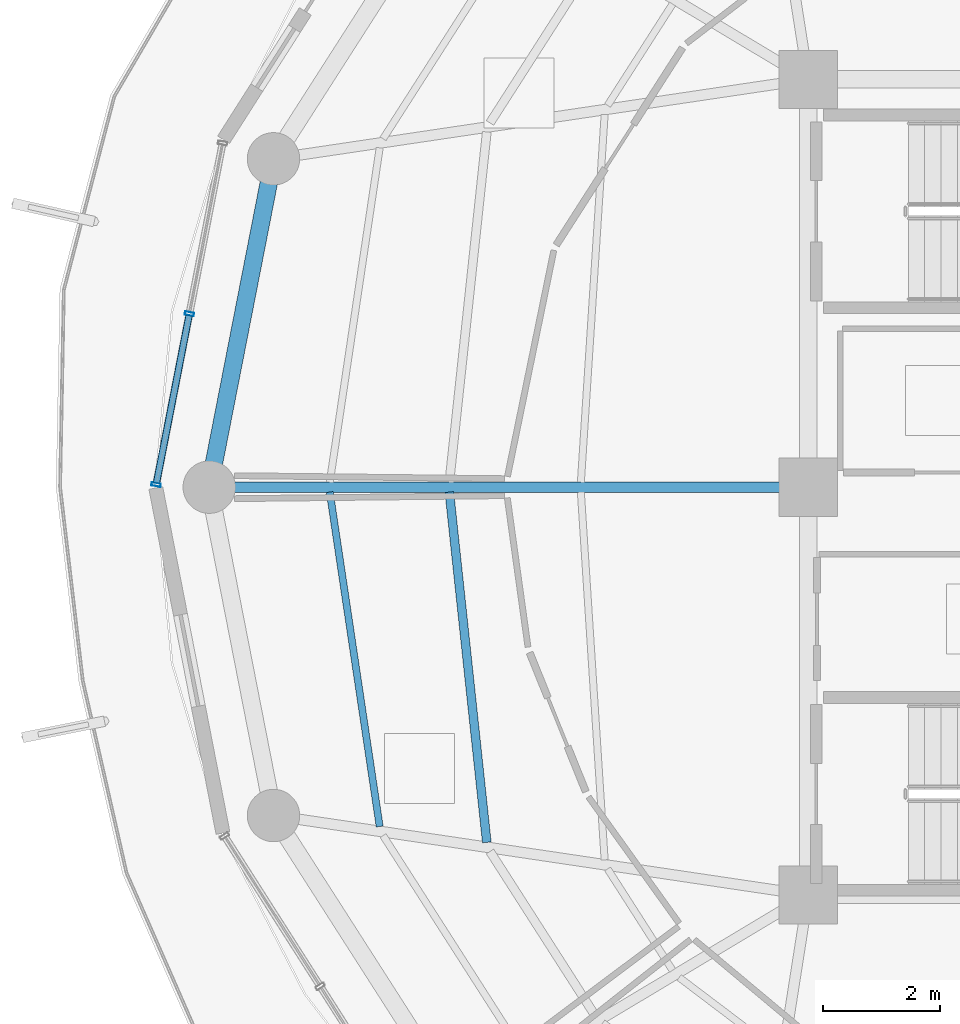
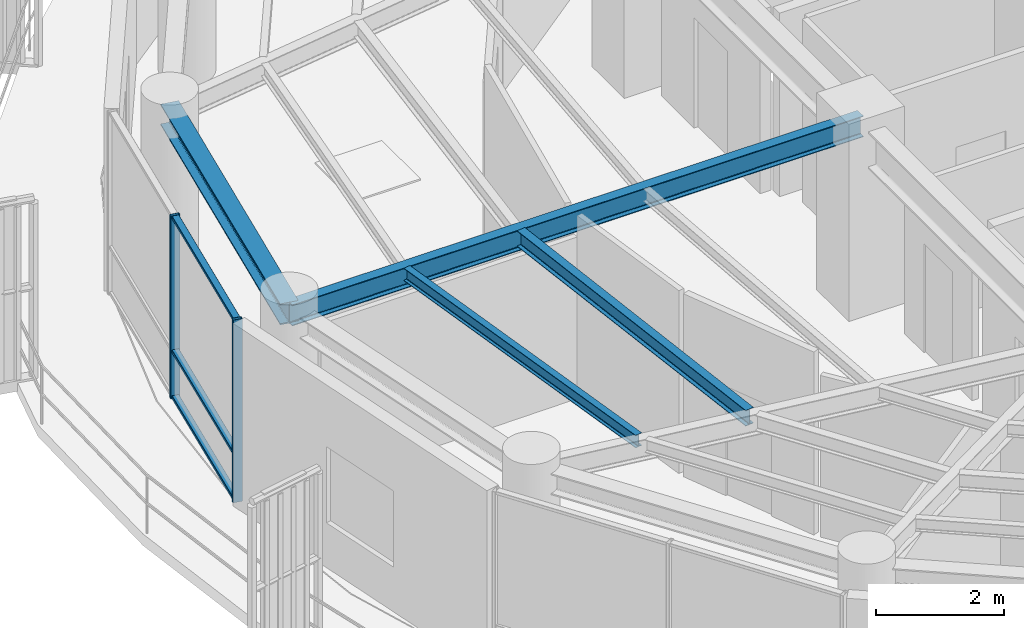
# One storey, part 5 of 22: 5 members, 4 beams, 1 element without a shape of its own.
"""IFC4 building model written with IfcOpenShell, lengths in metres."""

import ifcopenshell
import ifcopenshell.guid

model = None  # the IFC model being written
_history = None  # IfcOwnerHistory: only IFC2X3 demands one
_inside = {}  # id of a spatial element -> (the spatial element, [elements in it])
_under = {}  # id of a project, library or spatial element -> (it, [spatial elements below it])
_declared = {}  # id of a project -> (the project, [libraries it declares])
_typed = {}  # id of a type object -> (the type object, [elements of that type])
_made_of = {}  # id of a material, layer set ... -> (it, [elements and type objects made of it])


def new_model(schema):
    """Start an empty IFC model of exactly this schema.

    Asked for "IFC4X3", IfcOpenShell would pick the latest addendum, in which some entities
    have other attributes; the version numbers below select the first issue.
    IFC2X3 requires an IfcOwnerHistory on every rooted entity: one is made here for all.
    """
    global model, _history
    if schema == "IFC4X3":
        model = ifcopenshell.file(schema_version=(4, 3, 0, 0))
    else:
        model = ifcopenshell.file(schema=schema)
    _inside.clear()
    _under.clear()
    _declared.clear()
    _typed.clear()
    _made_of.clear()
    _history = None
    if model.schema == "IFC2X3":
        org = make("IfcOrganization", Name="unknown")
        user = make(
            "IfcPersonAndOrganization",
            ThePerson=make("IfcPerson", FamilyName="unknown"),
            TheOrganization=org,
        )
        app = make(
            "IfcApplication",
            ApplicationDeveloper=org,
            Version="unknown",
            ApplicationFullName="unknown",
            ApplicationIdentifier="unknown",
        )
        _history = make(
            "IfcOwnerHistory",
            OwningUser=user,
            OwningApplication=app,
            ChangeAction="ADDED",
            CreationDate=0,
        )
    return model


def make(cls, **values):
    """One entity of the class cls with the attributes given. An attribute that is None is left unset."""
    return model.create_entity(
        cls, **{name: value for name, value in values.items() if value is not None}
    )


def rooted(cls, **values):
    """An entity with a GlobalId (a new one), such as an element, a storey or a relation."""
    return make(cls, GlobalId=ifcopenshell.guid.new(), OwnerHistory=_history, **values)


def si_unit(unit_type, name, prefix=None):
    """IfcSIUnit, for example si_unit("LENGTHUNIT", "METRE", prefix="MILLI")."""
    return make("IfcSIUnit", UnitType=unit_type, Prefix=prefix, Name=name)


def assignment(units):
    """IfcUnitAssignment: the units of a project."""
    return None if units is None else make("IfcUnitAssignment", Units=units)


def point(xyz):
    """IfcCartesianPoint."""
    return None if xyz is None else make("IfcCartesianPoint", Coordinates=xyz)


def direction(xyz):
    """IfcDirection."""
    return None if xyz is None else make("IfcDirection", DirectionRatios=xyz)


def frame(location, z_axis=None, x_axis=None):
    """IfcAxis2Placement3D, a coordinate frame: its origin and axes. An axis left out is left unset."""
    return make(
        "IfcAxis2Placement3D",
        Location=point(location),
        Axis=direction(z_axis),
        RefDirection=direction(x_axis),
    )


def frame_2d(location, x_axis=None):
    """IfcAxis2Placement2D, a coordinate frame in the plane: its origin and x axis."""
    return make(
        "IfcAxis2Placement2D", Location=point(location), RefDirection=direction(x_axis)
    )


def origin():
    """The frame at (0, 0, 0) with its axes left unset."""
    return frame((0.0, 0.0, 0.0))


def origin_2d():
    """The frame at (0, 0) in the plane with its x axis left unset."""
    return frame_2d((0.0, 0.0))


def place(relative_to, where):
    """IfcLocalPlacement: puts the frame where relative to a parent placement (None: the world)."""
    return make(
        "IfcLocalPlacement", PlacementRelTo=relative_to, RelativePlacement=where
    )


def context(
    kind, dimensions, precision=None, world=None, true_north=None, identifier=None
):
    """IfcGeometricRepresentationContext, for example the 3D "Model" context."""
    return make(
        "IfcGeometricRepresentationContext",
        ContextIdentifier=identifier,
        ContextType=kind,
        CoordinateSpaceDimension=dimensions,
        Precision=precision,
        WorldCoordinateSystem=world,
        TrueNorth=true_north,
    )


def subcontext(parent, identifier, kind, view, scale=None):
    """IfcGeometricRepresentationSubContext, for example "Body" below "Model"."""
    return make(
        "IfcGeometricRepresentationSubContext",
        ContextIdentifier=identifier,
        ContextType=kind,
        ParentContext=parent,
        TargetScale=scale,
        TargetView=view,
    )


def project(units=None, contexts=None):
    """IfcProject with its units and contexts."""
    return rooted(
        "IfcProject",
        Name="project",
        RepresentationContexts=contexts,
        UnitsInContext=assignment(units),
    )


def spatial(cls, under=None, at=None, **own):
    """A site, building, storey or space (cls), placed at a placement, below another one or the project."""
    s = rooted(cls, ObjectPlacement=at, **own)
    if under is not None:
        _under.setdefault(under.id(), (under, []))[1].append(s)
    return s


def profile(cls, at=None, kind="AREA", **sizes):
    """A parametric profile (cls). Its sizes go by their IFC names, for example OverallWidth=200.0."""
    return make(cls, ProfileType=kind, Position=at, **sizes)


def hollow_rectangle(**sizes):
    """IfcRectangleHollowProfileDef."""
    return profile("IfcRectangleHollowProfileDef", **sizes)


def i_section(**sizes):
    """IfcIShapeProfileDef."""
    return profile("IfcIShapeProfileDef", **sizes)


def extrude(swept, where, along, depth):
    """IfcExtrudedAreaSolid: the profile swept, set in the frame where, extruded along a direction by depth."""
    return make(
        "IfcExtrudedAreaSolid",
        SweptArea=swept,
        Position=where,
        ExtrudedDirection=direction(along),
        Depth=depth,
    )


def shape(context_of_items, identifier, shape_type, items):
    """IfcShapeRepresentation: the items that make up one representation, for example the "Body"."""
    return make(
        "IfcShapeRepresentation",
        ContextOfItems=context_of_items,
        RepresentationIdentifier=identifier,
        RepresentationType=shape_type,
        Items=items,
    )


def material(Name=None, Category=None):
    """IfcMaterial."""
    return make("IfcMaterial", Name=Name, Category=Category)


def layer(
    of_material, thickness, ventilated=None, Name=None, Category=None, Priority=None
):
    """IfcMaterialLayer: one layer of a wall or slab, of a material (None: an air gap)."""
    return make(
        "IfcMaterialLayer",
        Material=of_material,
        LayerThickness=thickness,
        IsVentilated=ventilated,
        Name=Name,
        Category=Category,
        Priority=Priority,
    )


def layer_set(layers, Name=None):
    """IfcMaterialLayerSet."""
    return make("IfcMaterialLayerSet", MaterialLayers=layers, LayerSetName=Name)


def material_profile(
    of_material, cross_section, Name=None, Category=None, Priority=None
):
    """IfcMaterialProfile: a cross section and its material."""
    return make(
        "IfcMaterialProfile",
        Name=Name,
        Material=of_material,
        Profile=cross_section,
        Priority=Priority,
        Category=Category,
    )


def profile_set(profiles, Name=None, composite=None):
    """IfcMaterialProfileSet."""
    return make(
        "IfcMaterialProfileSet",
        Name=Name,
        MaterialProfiles=profiles,
        CompositeProfile=composite,
    )


def made_of(thing, what):
    """Note that an element or type object is made of a material, layer set ...; save() writes the relation."""
    if what is not None:
        _made_of.setdefault(what.id(), (what, []))[1].append(thing)
    return thing


def type_object(cls, material=None, **own):
    """A type object (cls), such as IfcWallType, which elements share."""
    return made_of(rooted(cls, **own), material)


def element(
    cls,
    number,
    at=None,
    inside=None,
    cuts=None,
    type_object=None,
    material=None,
    context=None,
    identifier="Body",
    shape_type=None,
    held_by="IfcProductDefinitionShape",
    body=None,
    shapes=None,
    **own,
):
    """One element of the class cls, such as IfcWall. Its Tag is "e" and its number.

    at: its placement. inside: the storey or other place that contains it. cuts: it is an
    opening in that element (IfcRelVoidsElement). A single representation is given by context,
    identifier, shape_type and body (its items); several are given by shapes. held_by: the class
    of the entity that holds the representations. save() writes the other relations.
    """
    e = rooted(cls, Tag="e%d" % number, ObjectPlacement=at, **own)
    if body is not None:
        shapes = [shape(context, identifier, shape_type, body)]
    if shapes is not None:
        e.Representation = make(held_by, Representations=shapes)
    if inside is not None:
        _inside.setdefault(inside.id(), (inside, []))[1].append(e)
    if cuts is not None:
        rooted(
            "IfcRelVoidsElement", RelatingBuildingElement=cuts, RelatedOpeningElement=e
        )
    if type_object is not None:
        _typed.setdefault(type_object.id(), (type_object, []))[1].append(e)
    return made_of(e, material)


def aggregate(whole, parts):
    """IfcRelAggregates: a whole, such as a stair, and the parts it consists of."""
    return rooted("IfcRelAggregates", RelatingObject=whole, RelatedObjects=parts)


def save(model, path):
    """Write the relations noted so far, then the file.

    IfcRelAggregates (storeys below a building ...), IfcRelContainedInSpatialStructure (elements
    in a storey), IfcRelDefinesByType, IfcRelAssociatesMaterial and IfcRelDeclares: one each for
    every whole, place, type object, material and project.
    """
    for whole, parts in _under.values():
        aggregate(whole, parts)
    for where, things in _inside.values():
        rooted(
            "IfcRelContainedInSpatialStructure",
            RelatedElements=things,
            RelatingStructure=where,
        )
    for kind, things in _typed.values():
        rooted("IfcRelDefinesByType", RelatedObjects=things, RelatingType=kind)
    for what, things in _made_of.values():
        rooted("IfcRelAssociatesMaterial", RelatedObjects=things, RelatingMaterial=what)
    for by, libraries in _declared.values():
        rooted("IfcRelDeclares", RelatingContext=by, RelatedDefinitions=libraries)
    model.write(path)


model = new_model("IFC4")

# Units and contexts
model_context = context("Model", 3, precision=1e-05, world=origin(), true_north=direction((0.0, 1.0)))
body_context = subcontext(model_context, "Body", "Model", "MODEL_VIEW")
ifc_project = project(units=[si_unit("LENGTHUNIT", "METRE"), si_unit("AREAUNIT", "SQUARE_METRE"), si_unit("VOLUMEUNIT", "CUBIC_METRE"), si_unit("PLANEANGLEUNIT", "RADIAN"), si_unit("MASSUNIT", "GRAM", prefix="KILO")], contexts=[model_context])

# Site, building, storey
site_placement = place(None, origin())
site = spatial("IfcSite", under=ifc_project, at=site_placement, CompositionType="ELEMENT")
building_placement = place(site_placement, origin())
building = spatial("IfcBuilding", under=site, at=building_placement, Name="Kelanora Arch Commons", CompositionType="ELEMENT")
storey_placement = place(building_placement, frame((0.0, 0.0, 267.449951171875)))
storey = spatial("IfcBuildingStorey", under=building, at=storey_placement, Name="L68", CompositionType="ELEMENT", Elevation=267.449951171875)

# Beams
ifc_material_1 = material(Name="Steel S355", Category="steel")
ifc_material_profile_1 = material_profile(ifc_material_1, i_section(OverallWidth=0.14990234375, OverallDepth=0.300048828125, WebThickness=0.007080078125, FlangeThickness=0.0107421875, FilletRadius=0.014892578125, at=origin_2d()), Name="IPE300")
ifc_profile_set_1 = profile_set([ifc_material_profile_1], Name="Steel S355")
beam_type_1 = type_object("IfcBeamType", Name="BM-JST-01", PredefinedType="JOIST", material=ifc_profile_set_1)
beam_1_placement = place(storey_placement, frame((59.841064453125, 57.91552734375, 3.340087890625), z_axis=(0.106380594087, -0.994325484538, 0.0), x_axis=(0.994325484538, 0.106380594087, 0.0)))
element("IfcBeam", 1, at=beam_1_placement, inside=storey, type_object=beam_type_1, Name="Secondary Chord Joist BJB-18 L68", PredefinedType="JOIST", context=body_context, shape_type="SweptSolid", body=[
    extrude(i_section(OverallWidth=0.14990234375, OverallDepth=0.300048828125, WebThickness=0.007080078125, FlangeThickness=0.0107421875, FilletRadius=0.014892578125, at=origin_2d()), origin(), (0.0, 0.0, 1.0), 6.04736328125),
])
ifc_material_profile_2 = material_profile(ifc_material_1, i_section(OverallWidth=0.1201171875, OverallDepth=0.239990234375, WebThickness=0.006103515625, FlangeThickness=0.009765625, FilletRadius=0.014892578125, at=origin_2d()), Name="IPE240")
ifc_profile_set_2 = profile_set([ifc_material_profile_2], Name="Steel S355")
beam_type_2 = type_object("IfcBeamType", Name="BM-JST-02", PredefinedType="JOIST", material=ifc_profile_set_2)
beam_2_placement = place(storey_placement, frame((57.78857421875, 57.916015625, 3.3701171875), z_axis=(0.14762470282, -0.989043450571, 0.0), x_axis=(0.989043450571, 0.14762470282, 0.0)))
element("IfcBeam", 2, at=beam_2_placement, inside=storey, type_object=beam_type_2, Name="Secondary Chord Joist BJC-18 L68", PredefinedType="JOIST", context=body_context, shape_type="SweptSolid", body=[
    extrude(i_section(OverallWidth=0.1201171875, OverallDepth=0.239990234375, WebThickness=0.006103515625, FlangeThickness=0.009765625, FilletRadius=0.014892578125, at=origin_2d()), origin(), (0.0, 0.0, 1.0), 5.804931640625),
])
ifc_material_profile_3 = material_profile(ifc_material_1, i_section(OverallWidth=0.179931640625, OverallDepth=0.39990234375, WebThickness=0.008544921875, FlangeThickness=0.013427734375, FilletRadius=0.02099609375, at=origin_2d()), Name="IPE400")
ifc_profile_set_3 = profile_set([ifc_material_profile_3], Name="Steel S355")
beam_type_3 = type_object("IfcBeamType", Name="BM-RAD-Z5", PredefinedType="BEAM", material=ifc_profile_set_3)
beam_3_placement = place(storey_placement, frame((66.0, 58.0, 3.2900390625), z_axis=(-1.0, 0.0, 0.0), x_axis=(0.0, -1.0, 0.0)))
element("IfcBeam", 3, at=beam_3_placement, inside=storey, type_object=beam_type_3, Name="Radial Floor Girder BR-18 L68", PredefinedType="BEAM", context=body_context, shape_type="SweptSolid", body=[
    extrude(i_section(OverallWidth=0.179931640625, OverallDepth=0.39990234375, WebThickness=0.008544921875, FlangeThickness=0.013427734375, FilletRadius=0.02099609375, at=origin_2d()), origin(), (0.0, 0.0, 1.0), 10.280029296875),
])
ifc_material_profile_4 = material_profile(ifc_material_1, i_section(OverallWidth=0.300048828125, OverallDepth=0.39990234375, WebThickness=0.013427734375, FlangeThickness=0.02392578125, FilletRadius=0.027099609375, at=origin_2d()), Name="HEB400")
ifc_profile_set_4 = profile_set([ifc_material_profile_4], Name="Steel S355")
beam_type_4 = type_object("IfcBeamType", Name="BM-SPN-Z4", PredefinedType="SPANDREL", material=ifc_profile_set_4)
beam_4_placement = place(storey_placement, frame((56.822509765625, 63.636474609375, 3.2900390625), z_axis=(-0.191969774604, -0.981400838413, 0.0), x_axis=(0.981400838413, -0.191969774604, 0.0)))
element("IfcBeam", 4, at=beam_4_placement, inside=storey, type_object=beam_type_4, Name="Perimeter Spandrel Beam BS-16 L68", PredefinedType="SPANDREL", context=body_context, shape_type="SweptSolid", body=[
    extrude(i_section(OverallWidth=0.300048828125, OverallDepth=0.39990234375, WebThickness=0.013427734375, FlangeThickness=0.02392578125, FilletRadius=0.027099609375, at=origin_2d()), origin(), (0.0, 0.0, 1.0), 5.743408203125),
])

# Curtain wall, members
ifc_material_2 = material(Name="Terracotta ceramic-fritted low-E glass and aluminium", Category="masonry")
ifc_layer = layer(ifc_material_2, 0.18994140625)
ifc_layer_set = layer_set([ifc_layer], Name="Terracotta ceramic-fritted low-E glass and aluminium")
curtain_wall_type = type_object("IfcCurtainWallType", Name="CW-SYS-03", PredefinedType="NOTDEFINED", material=ifc_layer_set)
curtain_wall_placement = place(storey_placement, origin())
curtain_wall = element("IfcCurtainWall", 5, at=curtain_wall_placement, inside=storey, type_object=curtain_wall_type, Name="Unitised Curtain Wall L68-B08", PredefinedType="NOTDEFINED")
ifc_material_3 = material(Name="Powder-coated aluminium terracotta", Category="masonry")
ifc_material_profile_5 = material_profile(ifc_material_3, hollow_rectangle(XDim=0.159912109375, YDim=0.06005859375, WallThickness=0.0048828125, InnerFilletRadius=0.0048828125, OuterFilletRadius=0.010009765625, at=origin_2d()), Name="CWM160x60")
ifc_profile_set_5 = profile_set([ifc_material_profile_5], Name="Powder-coated aluminium terracotta")
member_type_1 = type_object("IfcMemberType", Name="CWM-STD", PredefinedType="MULLION", material=ifc_profile_set_5)
member_1_placement = place(storey_placement, frame((55.37890625, 60.9755859375, 0.0), z_axis=(0.0, 0.0, 1.0), x_axis=(0.981595542501, -0.190971701941, 0.0)))
member_1 = element("IfcMember", 6, at=member_1_placement, type_object=member_type_1, Name="CW-03 mullion 2", PredefinedType="MULLION", context=body_context, shape_type="SweptSolid", body=[
    extrude(hollow_rectangle(XDim=0.159912109375, YDim=0.06005859375, WallThickness=0.0048828125, InnerFilletRadius=0.0048828125, OuterFilletRadius=0.010009765625, at=origin_2d()), origin(), (0.0, 0.0, 1.0), 3.47509765625),
])
member_2_placement = place(storey_placement, frame((54.80859375, 58.044189453125, 0.0), z_axis=(0.0, 0.0, 1.0), x_axis=(0.981595542501, -0.190971701941, 0.0)))
member_2 = element("IfcMember", 7, at=member_2_placement, type_object=member_type_1, Name="CW-03 mullion 3", PredefinedType="MULLION", context=body_context, shape_type="SweptSolid", body=[
    extrude(hollow_rectangle(XDim=0.159912109375, YDim=0.06005859375, WallThickness=0.0048828125, InnerFilletRadius=0.0048828125, OuterFilletRadius=0.010009765625, at=origin_2d()), origin(), (0.0, 0.0, 1.0), 3.47509765625),
])
ifc_material_profile_6 = material_profile(ifc_material_3, hollow_rectangle(XDim=0.1201171875, YDim=0.06005859375, WallThickness=0.0048828125, InnerFilletRadius=0.0048828125, OuterFilletRadius=0.010009765625, at=origin_2d()), Name="CWT120x60")
ifc_profile_set_6 = profile_set([ifc_material_profile_6], Name="Powder-coated aluminium terracotta")
member_type_2 = type_object("IfcMemberType", Name="CWT-STD", PredefinedType="USERDEFINED", material=ifc_profile_set_6)
member_3_placement = place(storey_placement, frame((55.373291015625, 60.946044921875, 0.030029296875), z_axis=(-0.190963443354, -0.981597149192, 0.0), x_axis=(0.981597149192, -0.190963443354, 0.0)))
member_3 = element("IfcMember", 8, at=member_3_placement, type_object=member_type_2, Name="CW-03 transom 2.1", ObjectType="TRANSOM", PredefinedType="USERDEFINED", context=body_context, shape_type="SweptSolid", body=[
    extrude(hollow_rectangle(XDim=0.1201171875, YDim=0.06005859375, WallThickness=0.0048828125, InnerFilletRadius=0.0048828125, OuterFilletRadius=0.010009765625, at=origin_2d()), origin(), (0.0, 0.0, 1.0), 2.926513671875),
])
member_4_placement = place(storey_placement, frame((55.373291015625, 60.946044921875, 0.900146484375), z_axis=(-0.190963443354, -0.981597149192, 0.0), x_axis=(0.981597149192, -0.190963443354, 0.0)))
member_4 = element("IfcMember", 9, at=member_4_placement, type_object=member_type_2, Name="CW-03 transom 2.2", ObjectType="TRANSOM", PredefinedType="USERDEFINED", context=body_context, shape_type="SweptSolid", body=[
    extrude(hollow_rectangle(XDim=0.1201171875, YDim=0.06005859375, WallThickness=0.0048828125, InnerFilletRadius=0.0048828125, OuterFilletRadius=0.010009765625, at=origin_2d()), origin(), (0.0, 0.0, 1.0), 2.926513671875),
])
member_5_placement = place(storey_placement, frame((55.373291015625, 60.946044921875, 3.445068359375), z_axis=(-0.190963443354, -0.981597149192, 0.0), x_axis=(0.981597149192, -0.190963443354, 0.0)))
member_5 = element("IfcMember", 10, at=member_5_placement, type_object=member_type_2, Name="CW-03 transom 2.3", ObjectType="TRANSOM", PredefinedType="USERDEFINED", context=body_context, shape_type="SweptSolid", body=[
    extrude(hollow_rectangle(XDim=0.1201171875, YDim=0.06005859375, WallThickness=0.0048828125, InnerFilletRadius=0.0048828125, OuterFilletRadius=0.010009765625, at=origin_2d()), origin(), (0.0, 0.0, 1.0), 2.926513671875),
])
aggregate(curtain_wall, [member_1, member_2, member_3, member_4, member_5])

save(model, "model.ifc")
